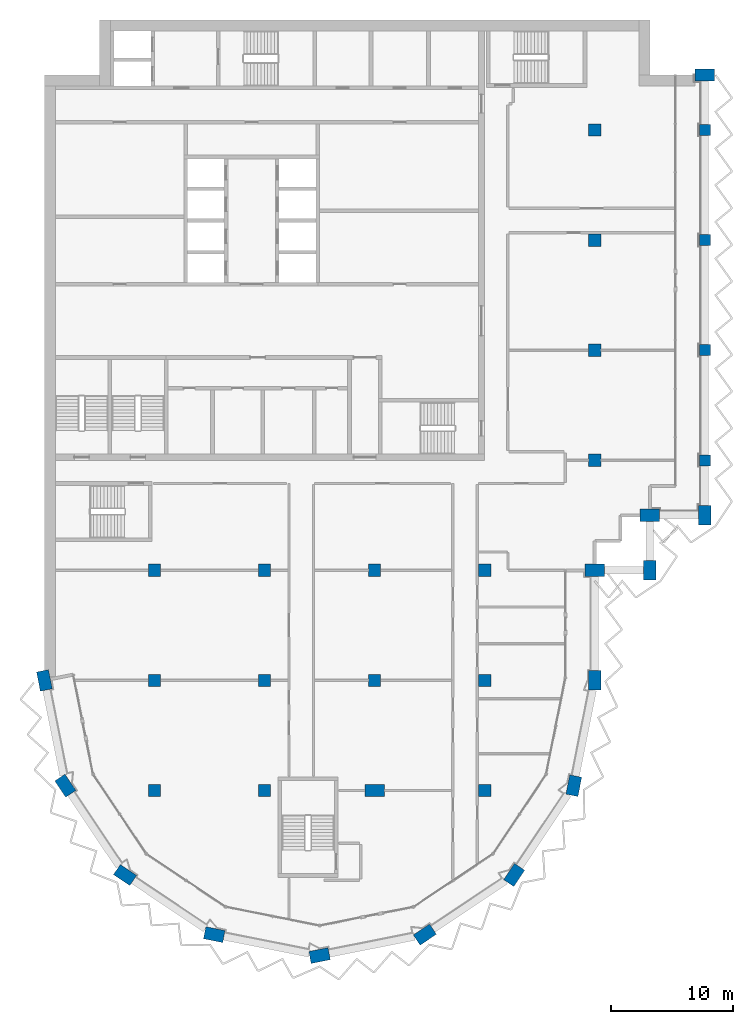
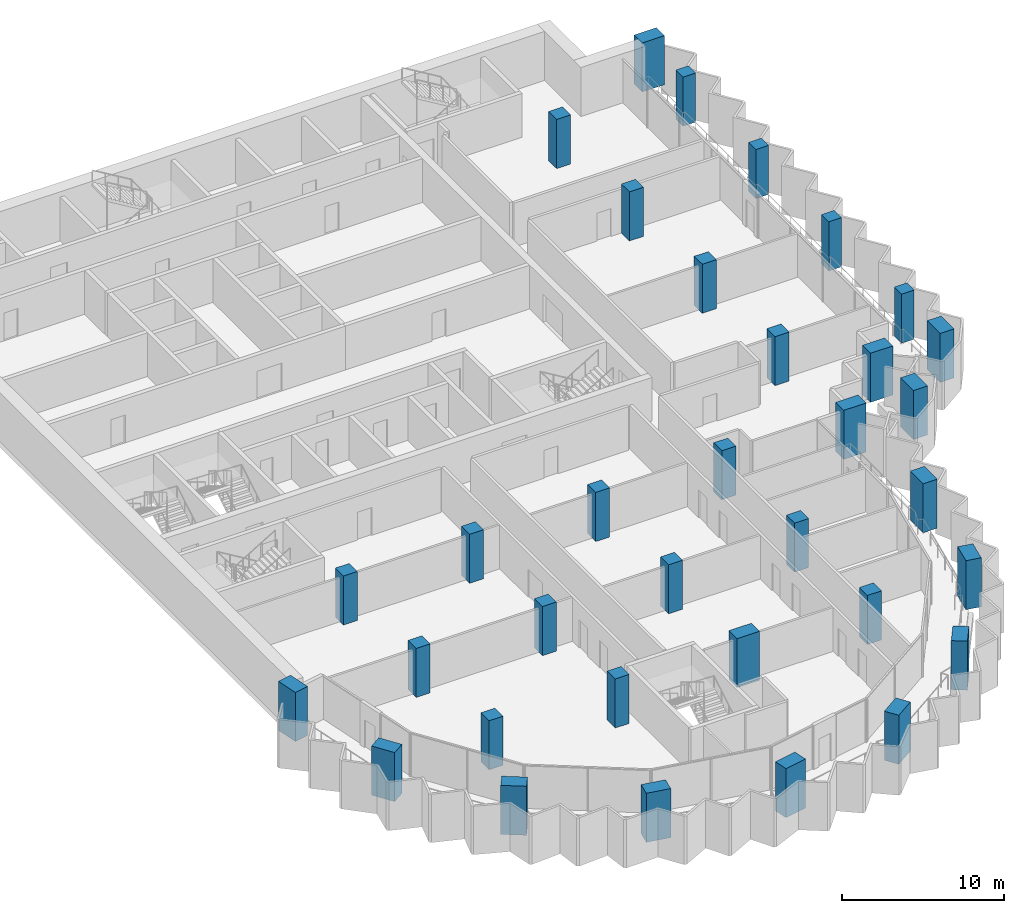
# One storey, part 1 of 16: 34 columns.
"""IFC4 building model written with IfcOpenShell, lengths in metres."""

from ifc_helpers import new_model, si_unit, direction, frame, origin, origin_2d, place, context, subcontext, project, spatial, rectangle, extrude, material, material_profile, profile_set, type_object, element, save


model = new_model("IFC4")

# Units and contexts
model_context = context("Model", 3, precision=1e-05, world=origin(), true_north=direction((0.0, 1.0)))
body_context = subcontext(model_context, "Body", "Model", "MODEL_VIEW")
ifc_project = project(units=[si_unit("LENGTHUNIT", "METRE"), si_unit("AREAUNIT", "SQUARE_METRE"), si_unit("VOLUMEUNIT", "CUBIC_METRE"), si_unit("PLANEANGLEUNIT", "RADIAN"), si_unit("MASSUNIT", "GRAM", prefix="KILO")], contexts=[model_context])

# Site, building, storey
site_placement = place(None, origin())
site = spatial("IfcSite", under=ifc_project, at=site_placement, CompositionType="ELEMENT")
building_placement = place(site_placement, origin())
building = spatial("IfcBuilding", under=site, at=building_placement, Name="Hunhe Ridgeline Campus", CompositionType="ELEMENT")
storey_placement = place(building_placement, frame((0.0, 0.0, 254.0)))
storey = spatial("IfcBuildingStorey", under=building, at=storey_placement, Name="L65", CompositionType="ELEMENT", Elevation=254.0)

# Columns
ifc_material = material(Name="Concrete C60", Category="concrete")
ifc_material_profile_1 = material_profile(ifc_material, rectangle(XDim=1.60009765625, YDim=1.0, at=origin_2d()))
ifc_profile_set_1 = profile_set([ifc_material_profile_1], Name="Concrete C60")
column_type_1 = type_object("IfcColumnType", Name="Megacolumn 1600x1000 Concrete C60", PredefinedType="COLUMN", material=ifc_profile_set_1)
for number, where, z_axis, x_axis, name in (
    (1, (22.5, 22.5, 0.0), (0.0, 0.0, 1.0), (0.980785280403, 0.195090322016, 0.0), "Column C14 R13 L65"),
    (2, (13.8896484375, 24.212646484375, 0.0), (0.0, 0.0, 1.0), (-0.980785280403, 0.195090322016, 0.0), "Column C14 R14 L65"),
    (3, (31.1103515625, 24.212646484375, 0.0), (0.0, 0.0, 1.0), (0.831469612303, 0.55557023302, 0.0), "Column C14 R15 L65"),
    (4, (6.590087890625, 29.090087890625, 0.0), (0.0, 0.0, 1.0), (-0.831469612303, 0.55557023302, 0.0), "Column C14 R18 L65"),
    (5, (38.409912109375, 29.090087890625, 0.0), (0.0, 0.0, 1.0), (0.55557023302, 0.831469612303, 0.0), "Column C14 R19 L65"),
    (6, (1.712646484375, 36.3896484375, 0.0), (0.0, 0.0, 1.0), (-0.55557023302, 0.831469612303, 0.0), "Column C14 R23 L65"),
    (7, (43.287353515625, 36.3896484375, 0.0), (0.0, 0.0, 1.0), (0.195090322016, 0.980785280403, 0.0), "Column C14 R24 L65"),
    (8, (0.0, 45.0, 0.0), (0.0, 0.0, 1.0), (-0.195090322016, 0.980785280403, 0.0), "Column C14 F1 L65"),
    (9, (45.0, 45.0, 0.0), (0.0, 0.0, 1.0), (0.0, 1.0, 0.0), "Column C14 F6 L65"),
    (10, (45.0, 54.0, 0.0), (0.0, 0.0, 1.0), (1.0, 0.0, 0.0), "Column C14 G6 L65"),
    (11, (49.5, 54.0, 0.0), (0.0, 0.0, 1.0), (0.0, 1.0, 0.0), "Column C14 R29 L65"),
    (12, (49.5, 58.5, 0.0), (0.0, 0.0, 1.0), (1.0, 0.0, 0.0), "Column C14 R33 L65"),
    (13, (54.0, 58.5, 0.0), (0.0, 0.0, 1.0), (0.0, 1.0, 0.0), "Column C14 R34 L65"),
    (14, (54.0, 94.5, 0.0), (0.0, 0.0, 1.0), (1.0, 0.0, 0.0), "Column C14 R41 L65"),
    (15, (27.0, 36.0, 0.0), (0.0, 0.0, 1.0), (1.0, 0.0, 0.0), "Column C14 E4 L65"),
):
    element("IfcColumn", number, at=place(storey_placement, frame(where, z_axis=z_axis, x_axis=x_axis)), inside=storey, type_object=column_type_1, Name=name, PredefinedType="COLUMN", context=body_context, shape_type="SweptSolid", body=[
        extrude(rectangle(XDim=1.60009765625, YDim=1.0, at=origin_2d()), origin(), (0.0, 0.0, 1.0), 3.699951171875),
    ])
ifc_material_profile_2 = material_profile(ifc_material, rectangle(XDim=1.0, YDim=1.0, at=origin_2d()))
ifc_profile_set_2 = profile_set([ifc_material_profile_2], Name="Concrete C60")
column_type_2 = type_object("IfcColumnType", Name="RC column 1000x1000 Concrete C60", PredefinedType="COLUMN", material=ifc_profile_set_2)
for number, where, z_axis, x_axis, name in (
    (16, (9.0, 36.0, 0.0), (0.0, 0.0, 1.0), (1.0, 0.0, 0.0), "Column C12 E2 L65"),
    (17, (9.0, 45.0, 0.0), (0.0, 0.0, 1.0), (1.0, 0.0, 0.0), "Column C12 F2 L65"),
    (18, (9.0, 54.0, 0.0), (0.0, 0.0, 1.0), (1.0, 0.0, 0.0), "Column C12 G2 L65"),
    (19, (18.0, 36.0, 0.0), (0.0, 0.0, 1.0), (1.0, 0.0, 0.0), "Column C12 E3 L65"),
    (20, (18.0, 45.0, 0.0), (0.0, 0.0, 1.0), (1.0, 0.0, 0.0), "Column C12 F3 L65"),
    (21, (18.0, 54.0, 0.0), (0.0, 0.0, 1.0), (1.0, 0.0, 0.0), "Column C12 G3 L65"),
    (22, (27.0, 45.0, 0.0), (0.0, 0.0, 1.0), (1.0, 0.0, 0.0), "Column C12 F4 L65"),
    (23, (27.0, 54.0, 0.0), (0.0, 0.0, 1.0), (1.0, 0.0, 0.0), "Column C12 G4 L65"),
    (24, (36.0, 36.0, 0.0), (0.0, 0.0, 1.0), (1.0, 0.0, 0.0), "Column C12 E5 L65"),
    (25, (36.0, 45.0, 0.0), (0.0, 0.0, 1.0), (1.0, 0.0, 0.0), "Column C12 F5 L65"),
    (26, (36.0, 54.0, 0.0), (0.0, 0.0, 1.0), (1.0, 0.0, 0.0), "Column C12 G5 L65"),
    (27, (45.0, 63.0, 0.0), (0.0, 0.0, 1.0), (1.0, 0.0, 0.0), "Column C12 H6 L65"),
    (28, (45.0, 72.0, 0.0), (0.0, 0.0, 1.0), (1.0, 0.0, 0.0), "Column C12 I6 L65"),
    (29, (45.0, 81.0, 0.0), (0.0, 0.0, 1.0), (1.0, 0.0, 0.0), "Column C12 J6 L65"),
    (30, (45.0, 90.0, 0.0), (0.0, 0.0, 1.0), (1.0, 0.0, 0.0), "Column C12 K6 L65"),
):
    element("IfcColumn", number, at=place(storey_placement, frame(where, z_axis=z_axis, x_axis=x_axis)), inside=storey, type_object=column_type_2, Name=name, PredefinedType="COLUMN", context=body_context, shape_type="SweptSolid", body=[
        extrude(rectangle(XDim=1.0, YDim=1.0, at=origin_2d()), origin(), (0.0, 0.0, 1.0), 3.699951171875),
    ])
ifc_material_profile_3 = material_profile(ifc_material, rectangle(XDim=0.89990234375, YDim=0.89990234375, at=origin_2d()))
ifc_profile_set_3 = profile_set([ifc_material_profile_3], Name="Concrete C60")
column_type_3 = type_object("IfcColumnType", Name="RC column 900x900 Concrete C60", PredefinedType="COLUMN", material=ifc_profile_set_3)
for number, where, z_axis, x_axis, name in (
    (31, (54.0, 63.0, 0.0), (0.0, 0.0, 1.0), (1.0, 0.0, 0.0), "Column C15 H7 L65"),
    (32, (54.0, 72.0, 0.0), (0.0, 0.0, 1.0), (1.0, 0.0, 0.0), "Column C15 I7 L65"),
    (33, (54.0, 81.0, 0.0), (0.0, 0.0, 1.0), (1.0, 0.0, 0.0), "Column C15 J7 L65"),
    (34, (54.0, 90.0, 0.0), (0.0, 0.0, 1.0), (1.0, 0.0, 0.0), "Column C15 K7 L65"),
):
    element("IfcColumn", number, at=place(storey_placement, frame(where, z_axis=z_axis, x_axis=x_axis)), inside=storey, type_object=column_type_3, Name=name, PredefinedType="COLUMN", context=body_context, shape_type="SweptSolid", body=[
        extrude(rectangle(XDim=0.89990234375, YDim=0.89990234375, at=origin_2d()), origin(), (0.0, 0.0, 1.0), 3.699951171875),
    ])

save(model, "model.ifc")
